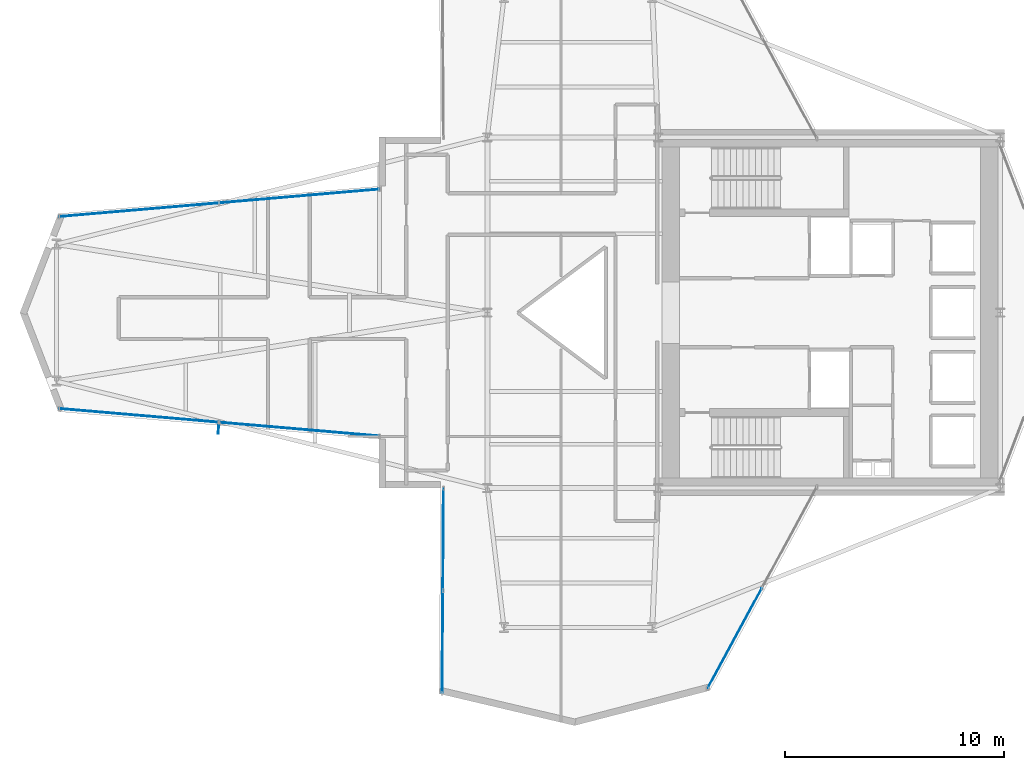
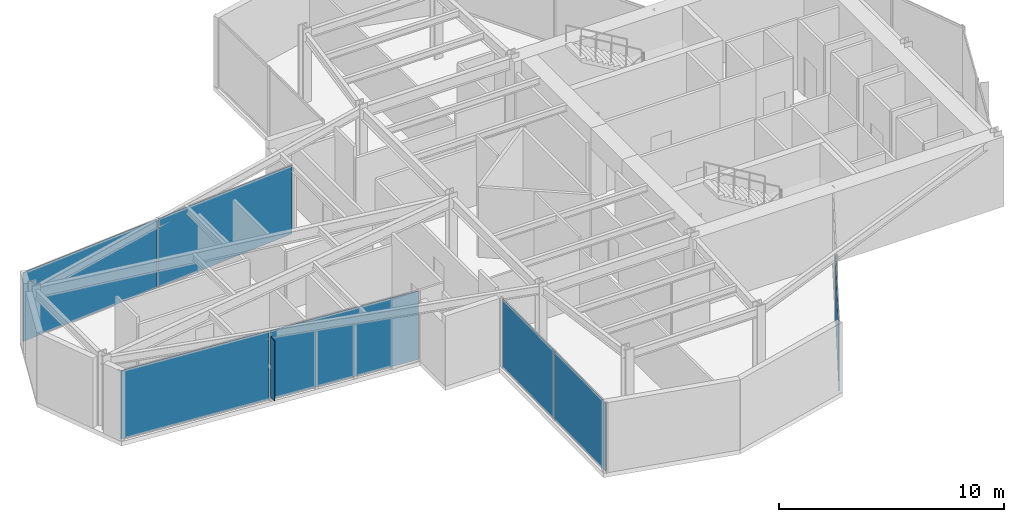
# One storey, part 20 of 26: 8 plates, 4 elements without a shape of their own.
"""IFC4 building model written with IfcOpenShell, lengths in metres."""

import ifcopenshell
import ifcopenshell.guid

model = None  # the IFC model being written
_history = None  # IfcOwnerHistory: only IFC2X3 demands one
_inside = {}  # id of a spatial element -> (the spatial element, [elements in it])
_under = {}  # id of a project, library or spatial element -> (it, [spatial elements below it])
_declared = {}  # id of a project -> (the project, [libraries it declares])
_typed = {}  # id of a type object -> (the type object, [elements of that type])
_made_of = {}  # id of a material, layer set ... -> (it, [elements and type objects made of it])


def new_model(schema):
    """Start an empty IFC model of exactly this schema.

    Asked for "IFC4X3", IfcOpenShell would pick the latest addendum, in which some entities
    have other attributes; the version numbers below select the first issue.
    IFC2X3 requires an IfcOwnerHistory on every rooted entity: one is made here for all.
    """
    global model, _history
    if schema == "IFC4X3":
        model = ifcopenshell.file(schema_version=(4, 3, 0, 0))
    else:
        model = ifcopenshell.file(schema=schema)
    _inside.clear()
    _under.clear()
    _declared.clear()
    _typed.clear()
    _made_of.clear()
    _history = None
    if model.schema == "IFC2X3":
        org = make("IfcOrganization", Name="unknown")
        user = make(
            "IfcPersonAndOrganization",
            ThePerson=make("IfcPerson", FamilyName="unknown"),
            TheOrganization=org,
        )
        app = make(
            "IfcApplication",
            ApplicationDeveloper=org,
            Version="unknown",
            ApplicationFullName="unknown",
            ApplicationIdentifier="unknown",
        )
        _history = make(
            "IfcOwnerHistory",
            OwningUser=user,
            OwningApplication=app,
            ChangeAction="ADDED",
            CreationDate=0,
        )
    return model


def make(cls, **values):
    """One entity of the class cls with the attributes given. An attribute that is None is left unset."""
    return model.create_entity(
        cls, **{name: value for name, value in values.items() if value is not None}
    )


def rooted(cls, **values):
    """An entity with a GlobalId (a new one), such as an element, a storey or a relation."""
    return make(cls, GlobalId=ifcopenshell.guid.new(), OwnerHistory=_history, **values)


def si_unit(unit_type, name, prefix=None):
    """IfcSIUnit, for example si_unit("LENGTHUNIT", "METRE", prefix="MILLI")."""
    return make("IfcSIUnit", UnitType=unit_type, Prefix=prefix, Name=name)


def assignment(units):
    """IfcUnitAssignment: the units of a project."""
    return None if units is None else make("IfcUnitAssignment", Units=units)


def point(xyz):
    """IfcCartesianPoint."""
    return None if xyz is None else make("IfcCartesianPoint", Coordinates=xyz)


def direction(xyz):
    """IfcDirection."""
    return None if xyz is None else make("IfcDirection", DirectionRatios=xyz)


def frame(location, z_axis=None, x_axis=None):
    """IfcAxis2Placement3D, a coordinate frame: its origin and axes. An axis left out is left unset."""
    return make(
        "IfcAxis2Placement3D",
        Location=point(location),
        Axis=direction(z_axis),
        RefDirection=direction(x_axis),
    )


def frame_2d(location, x_axis=None):
    """IfcAxis2Placement2D, a coordinate frame in the plane: its origin and x axis."""
    return make(
        "IfcAxis2Placement2D", Location=point(location), RefDirection=direction(x_axis)
    )


def origin():
    """The frame at (0, 0, 0) with its axes left unset."""
    return frame((0.0, 0.0, 0.0))


def origin_2d():
    """The frame at (0, 0) in the plane with its x axis left unset."""
    return frame_2d((0.0, 0.0))


def place(relative_to, where):
    """IfcLocalPlacement: puts the frame where relative to a parent placement (None: the world)."""
    return make(
        "IfcLocalPlacement", PlacementRelTo=relative_to, RelativePlacement=where
    )


def context(
    kind, dimensions, precision=None, world=None, true_north=None, identifier=None
):
    """IfcGeometricRepresentationContext, for example the 3D "Model" context."""
    return make(
        "IfcGeometricRepresentationContext",
        ContextIdentifier=identifier,
        ContextType=kind,
        CoordinateSpaceDimension=dimensions,
        Precision=precision,
        WorldCoordinateSystem=world,
        TrueNorth=true_north,
    )


def subcontext(parent, identifier, kind, view, scale=None):
    """IfcGeometricRepresentationSubContext, for example "Body" below "Model"."""
    return make(
        "IfcGeometricRepresentationSubContext",
        ContextIdentifier=identifier,
        ContextType=kind,
        ParentContext=parent,
        TargetScale=scale,
        TargetView=view,
    )


def project(units=None, contexts=None):
    """IfcProject with its units and contexts."""
    return rooted(
        "IfcProject",
        Name="project",
        RepresentationContexts=contexts,
        UnitsInContext=assignment(units),
    )


def spatial(cls, under=None, at=None, **own):
    """A site, building, storey or space (cls), placed at a placement, below another one or the project."""
    s = rooted(cls, ObjectPlacement=at, **own)
    if under is not None:
        _under.setdefault(under.id(), (under, []))[1].append(s)
    return s


def profile(cls, at=None, kind="AREA", **sizes):
    """A parametric profile (cls). Its sizes go by their IFC names, for example OverallWidth=200.0."""
    return make(cls, ProfileType=kind, Position=at, **sizes)


def rectangle(**sizes):
    """IfcRectangleProfileDef."""
    return profile("IfcRectangleProfileDef", **sizes)


def extrude(swept, where, along, depth):
    """IfcExtrudedAreaSolid: the profile swept, set in the frame where, extruded along a direction by depth."""
    return make(
        "IfcExtrudedAreaSolid",
        SweptArea=swept,
        Position=where,
        ExtrudedDirection=direction(along),
        Depth=depth,
    )


def shape(context_of_items, identifier, shape_type, items):
    """IfcShapeRepresentation: the items that make up one representation, for example the "Body"."""
    return make(
        "IfcShapeRepresentation",
        ContextOfItems=context_of_items,
        RepresentationIdentifier=identifier,
        RepresentationType=shape_type,
        Items=items,
    )


def material(Name=None, Category=None):
    """IfcMaterial."""
    return make("IfcMaterial", Name=Name, Category=Category)


def layer(
    of_material, thickness, ventilated=None, Name=None, Category=None, Priority=None
):
    """IfcMaterialLayer: one layer of a wall or slab, of a material (None: an air gap)."""
    return make(
        "IfcMaterialLayer",
        Material=of_material,
        LayerThickness=thickness,
        IsVentilated=ventilated,
        Name=Name,
        Category=Category,
        Priority=Priority,
    )


def layer_set(layers, Name=None):
    """IfcMaterialLayerSet."""
    return make("IfcMaterialLayerSet", MaterialLayers=layers, LayerSetName=Name)


def made_of(thing, what):
    """Note that an element or type object is made of a material, layer set ...; save() writes the relation."""
    if what is not None:
        _made_of.setdefault(what.id(), (what, []))[1].append(thing)
    return thing


def type_object(cls, material=None, **own):
    """A type object (cls), such as IfcWallType, which elements share."""
    return made_of(rooted(cls, **own), material)


def element(
    cls,
    number,
    at=None,
    inside=None,
    cuts=None,
    type_object=None,
    material=None,
    context=None,
    identifier="Body",
    shape_type=None,
    held_by="IfcProductDefinitionShape",
    body=None,
    shapes=None,
    **own,
):
    """One element of the class cls, such as IfcWall. Its Tag is "e" and its number.

    at: its placement. inside: the storey or other place that contains it. cuts: it is an
    opening in that element (IfcRelVoidsElement). A single representation is given by context,
    identifier, shape_type and body (its items); several are given by shapes. held_by: the class
    of the entity that holds the representations. save() writes the other relations.
    """
    e = rooted(cls, Tag="e%d" % number, ObjectPlacement=at, **own)
    if body is not None:
        shapes = [shape(context, identifier, shape_type, body)]
    if shapes is not None:
        e.Representation = make(held_by, Representations=shapes)
    if inside is not None:
        _inside.setdefault(inside.id(), (inside, []))[1].append(e)
    if cuts is not None:
        rooted(
            "IfcRelVoidsElement", RelatingBuildingElement=cuts, RelatedOpeningElement=e
        )
    if type_object is not None:
        _typed.setdefault(type_object.id(), (type_object, []))[1].append(e)
    return made_of(e, material)


def aggregate(whole, parts):
    """IfcRelAggregates: a whole, such as a stair, and the parts it consists of."""
    return rooted("IfcRelAggregates", RelatingObject=whole, RelatedObjects=parts)


def save(model, path):
    """Write the relations noted so far, then the file.

    IfcRelAggregates (storeys below a building ...), IfcRelContainedInSpatialStructure (elements
    in a storey), IfcRelDefinesByType, IfcRelAssociatesMaterial and IfcRelDeclares: one each for
    every whole, place, type object, material and project.
    """
    for whole, parts in _under.values():
        aggregate(whole, parts)
    for where, things in _inside.values():
        rooted(
            "IfcRelContainedInSpatialStructure",
            RelatedElements=things,
            RelatingStructure=where,
        )
    for kind, things in _typed.values():
        rooted("IfcRelDefinesByType", RelatedObjects=things, RelatingType=kind)
    for what, things in _made_of.values():
        rooted("IfcRelAssociatesMaterial", RelatedObjects=things, RelatingMaterial=what)
    for by, libraries in _declared.values():
        rooted("IfcRelDeclares", RelatingContext=by, RelatedDefinitions=libraries)
    model.write(path)


model = new_model("IFC4")

# Units and contexts
model_context = context("Model", 3, precision=1e-05, world=origin(), true_north=direction((0.0, 1.0)))
body_context = subcontext(model_context, "Body", "Model", "MODEL_VIEW")
ifc_project = project(units=[si_unit("LENGTHUNIT", "METRE"), si_unit("AREAUNIT", "SQUARE_METRE"), si_unit("VOLUMEUNIT", "CUBIC_METRE"), si_unit("PLANEANGLEUNIT", "RADIAN"), si_unit("MASSUNIT", "GRAM", prefix="KILO")], contexts=[model_context])

# Site, building, storey
site_placement = place(None, origin())
site = spatial("IfcSite", under=ifc_project, at=site_placement, CompositionType="ELEMENT")
building_placement = place(site_placement, origin())
building = spatial("IfcBuilding", under=site, at=building_placement, Name="Veymaron Broadcast Tower", CompositionType="ELEMENT")
storey_placement = place(building_placement, frame((0.0, 0.0, 153.300048828125)))
storey = spatial("IfcBuildingStorey", under=building, at=storey_placement, Name="L35", CompositionType="ELEMENT", Elevation=153.300048828125)

# Curtain wall, plates
ifc_material_1 = material(Name="Anodised aluminium AA 6063-T6 and laminated low-E dark glass", Category="aluminium")
ifc_layer_1 = layer(ifc_material_1, 0.179931640625)
ifc_layer_set_1 = layer_set([ifc_layer_1], Name="Anodised aluminium AA 6063-T6 and laminated low-E dark glass")
curtain_wall_type = type_object("IfcCurtainWallType", Name="CW-SYS-03", PredefinedType="NOTDEFINED", material=ifc_layer_set_1)
curtain_wall_1_placement = place(storey_placement, origin())
curtain_wall_1 = element("IfcCurtainWall", 1, at=curtain_wall_1_placement, inside=storey, type_object=curtain_wall_type, Name="L35 dark-glass curtain wall CW-L35-E11-1", PredefinedType="NOTDEFINED")
ifc_material_2 = material(Name="Insulated dark-anodised aluminium spandrel panel 40 mm", Category="aluminium")
ifc_layer_2 = layer(ifc_material_2, 0.0400390625)
ifc_layer_set_2 = layer_set([ifc_layer_2], Name="Insulated dark-anodised aluminium spandrel panel 40 mm")
plate_type_1 = type_object("IfcPlateType", Name="CW-PNL-03", PredefinedType="CURTAIN_PANEL", material=ifc_layer_set_2)
plate_1_placement = place(storey_placement, frame((22.624755859375, 29.3173828125, 0.0400390625), z_axis=(0.0, 0.0, 1.0), x_axis=(-0.996342313971, -0.085451702097, 0.0)))
plate_1 = element("IfcPlate", 2, at=plate_1_placement, type_object=plate_type_1, Name="CW-L35-E11-1 unitised curtain panel 0", PredefinedType="CURTAIN_PANEL", context=body_context, shape_type="SweptSolid", body=[
    extrude(rectangle(XDim=7.281982421875, YDim=0.0400390625, at=origin_2d()), origin(), (0.0, 0.0, 1.0), 3.72998046875),
])
plate_2_placement = place(storey_placement, frame((15.3095703125, 28.690185546875, 0.0400390625), z_axis=(0.0, 0.0, 1.0), x_axis=(-0.996342313971, -0.085451702097, 0.0)))
plate_2 = element("IfcPlate", 3, at=plate_2_placement, type_object=plate_type_1, Name="CW-L35-E11-1 unitised curtain panel 1", PredefinedType="CURTAIN_PANEL", context=body_context, shape_type="SweptSolid", body=[
    extrude(rectangle(XDim=7.281982421875, YDim=0.0400390625, at=origin_2d()), origin(), (0.0, 0.0, 1.0), 3.72998046875),
])
aggregate(curtain_wall_1, [plate_1, plate_2])

curtain_wall_2_placement = place(storey_placement, origin())
curtain_wall_2 = element("IfcCurtainWall", 4, at=curtain_wall_2_placement, inside=storey, type_object=curtain_wall_type, Name="L35 dark-glass curtain wall CW-L35-E14-1", PredefinedType="NOTDEFINED")
plate_3_placement = place(storey_placement, frame((15.3095703125, 19.309814453125, 0.0400390625), z_axis=(0.0, 0.0, 1.0), x_axis=(0.996342313971, -0.085451702097, 0.0)))
plate_3 = element("IfcPlate", 5, at=plate_3_placement, type_object=plate_type_1, Name="CW-L35-E14-1 unitised curtain panel 0", PredefinedType="CURTAIN_PANEL", context=body_context, shape_type="SweptSolid", body=[
    extrude(rectangle(XDim=7.281982421875, YDim=0.0400390625, at=origin_2d()), origin(), (0.0, 0.0, 1.0), 3.72998046875),
])
plate_4_placement = place(storey_placement, frame((22.624755859375, 18.6826171875, 0.0400390625), z_axis=(0.0, 0.0, 1.0), x_axis=(0.996342313971, -0.085451702097, 0.0)))
plate_4 = element("IfcPlate", 6, at=plate_4_placement, type_object=plate_type_1, Name="CW-L35-E14-1 unitised curtain panel 1", PredefinedType="CURTAIN_PANEL", context=body_context, shape_type="SweptSolid", body=[
    extrude(rectangle(XDim=7.281982421875, YDim=0.0400390625, at=origin_2d()), origin(), (0.0, 0.0, 1.0), 3.72998046875),
])
aggregate(curtain_wall_2, [plate_3, plate_4])

curtain_wall_3_placement = place(storey_placement, origin())
curtain_wall_3 = element("IfcCurtainWall", 7, at=curtain_wall_3_placement, inside=storey, type_object=curtain_wall_type, Name="L35 dark-glass curtain wall CW-L35-E17-1", PredefinedType="NOTDEFINED")
plate_5_placement = place(storey_placement, frame((29.18896484375, 13.65576171875, 0.0400390625), z_axis=(0.0, 0.0, 1.0), x_axis=(-0.006824184408, -0.999976714982, 0.0)))
plate_5 = element("IfcPlate", 8, at=plate_5_placement, type_object=plate_type_1, Name="CW-L35-E17-1 unitised curtain panel 0", PredefinedType="CURTAIN_PANEL", context=body_context, shape_type="SweptSolid", body=[
    extrude(rectangle(XDim=4.62646484375, YDim=0.0400390625, at=origin_2d()), origin(), (0.0, 0.0, 1.0), 3.72998046875),
])
plate_6_placement = place(storey_placement, frame((29.156982421875, 8.969482421875, 0.0400390625), z_axis=(0.0, 0.0, 1.0), x_axis=(-0.006824184408, -0.999976714982, 0.0)))
plate_6 = element("IfcPlate", 9, at=plate_6_placement, type_object=plate_type_1, Name="CW-L35-E17-1 unitised curtain panel 1", PredefinedType="CURTAIN_PANEL", context=body_context, shape_type="SweptSolid", body=[
    extrude(rectangle(XDim=4.62646484375, YDim=0.0400390625, at=origin_2d()), origin(), (0.0, 0.0, 1.0), 3.72998046875),
])
aggregate(curtain_wall_3, [plate_5, plate_6])

# Curtain wall, plate
curtain_wall_4_placement = place(storey_placement, origin())
curtain_wall_4 = element("IfcCurtainWall", 10, at=curtain_wall_4_placement, inside=storey, type_object=curtain_wall_type, Name="L35 dark-glass curtain wall CW-L35-E20-1", PredefinedType="NOTDEFINED")
plate_7_placement = place(storey_placement, frame((42.48876953125, 9.146484375, 0.0400390625), z_axis=(0.0, 0.0, 1.0), x_axis=(0.476821283546, 0.879000263685, 0.0)))
plate_7 = element("IfcPlate", 11, at=plate_7_placement, type_object=plate_type_1, Name="CW-L35-E20-1 unitised curtain panel 0", PredefinedType="CURTAIN_PANEL", context=body_context, shape_type="SweptSolid", body=[
    extrude(rectangle(XDim=5.188720703125, YDim=0.0400390625, at=origin_2d()), origin(), (0.0, 0.0, 1.0), 3.72998046875),
])
aggregate(curtain_wall_4, [plate_7])

# Plate
ifc_material_3 = material(Name="Dark-anodised aluminium AA 6061-T6", Category="aluminium")
ifc_layer_3 = layer(ifc_material_3, 0.031982421875)
ifc_layer_set_3 = layer_set([ifc_layer_3], Name="Dark-anodised aluminium AA 6061-T6")
plate_type_2 = type_object("IfcPlateType", Name="FIN-CHEV-03", PredefinedType="USERDEFINED", material=ifc_layer_set_3)
plate_8_placement = place(storey_placement, frame((18.93896484375, 18.66748046875, 0.2666015625), z_axis=(0.0, 0.0, 1.0), x_axis=(-0.085451702097, -0.996342313971, 0.0)))
element("IfcPlate", 12, at=plate_8_placement, inside=storey, type_object=plate_type_2, Name="CW-L35-E14-1 chevron fin 1", ObjectType="FIN", PredefinedType="USERDEFINED", context=body_context, shape_type="SweptSolid", body=[
    extrude(rectangle(XDim=0.39990234375, YDim=0.034912109375, at=origin_2d()), origin(), (0.0, 0.0, 1.0), 3.276611328125),
])

save(model, "model.ifc")
